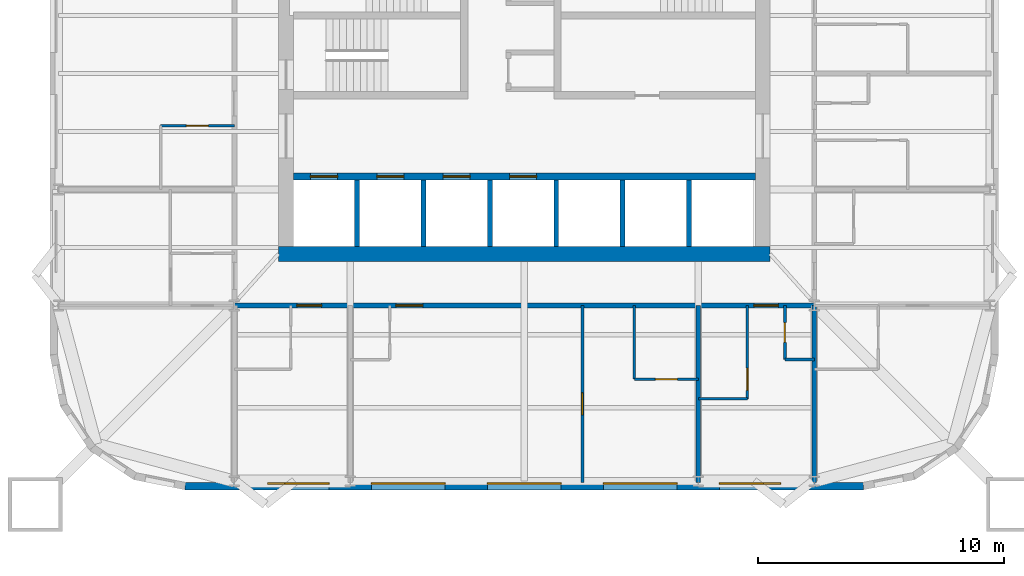
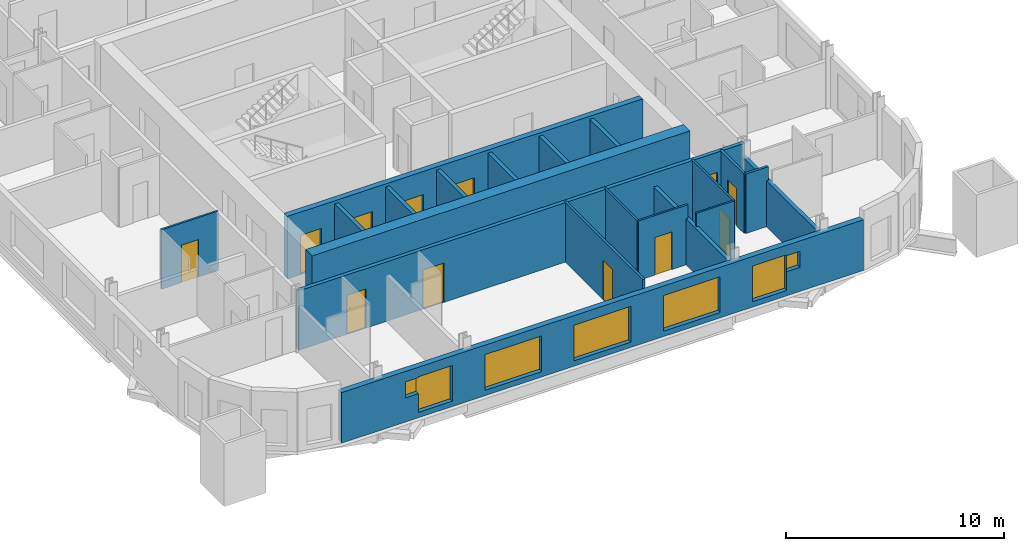
# One storey, part 3 of 9: 20 walls, 12 doors, 7 windows, 19 openings.
"""IFC4 building model written with IfcOpenShell, lengths in metres."""

from ifc_helpers import new_model, si_unit, direction, frame, frame_2d, origin, place, context, subcontext, project, spatial, rectangle, extrude, material, layer, layer_set, type_object, element, fill, save


model = new_model("IFC4")

# Units and contexts
model_context = context("Model", 3, precision=1e-05, world=origin(), true_north=direction((0.0, 1.0)))
body_context = subcontext(model_context, "Body", "Model", "MODEL_VIEW")
ifc_project = project(units=[si_unit("LENGTHUNIT", "METRE"), si_unit("AREAUNIT", "SQUARE_METRE"), si_unit("VOLUMEUNIT", "CUBIC_METRE"), si_unit("PLANEANGLEUNIT", "RADIAN"), si_unit("MASSUNIT", "GRAM", prefix="KILO")], contexts=[model_context])

# Site, building, storey
site_placement = place(None, origin())
site = spatial("IfcSite", under=ifc_project, at=site_placement, CompositionType="ELEMENT")
building_placement = place(site_placement, origin())
building = spatial("IfcBuilding", under=site, at=building_placement, Name="Turquesa Mirador Hotel Tower", CompositionType="ELEMENT")
storey_placement = place(building_placement, frame((0.0, 0.0, 207.300048828125)))
storey = spatial("IfcBuildingStorey", under=building, at=storey_placement, Name="L56", CompositionType="ELEMENT", Elevation=207.300048828125)

# Wall, opening, door
ifc_material_1 = material(Name="Gypsum board on steel studs", Category="steel")
ifc_layer_1 = layer(ifc_material_1, 0.10009765625)
ifc_layer_set_1 = layer_set([ifc_layer_1], Name="BATHROOM WALL 100")
wall_type_1 = type_object("IfcWallType", Name="BATHROOM WALL 100", PredefinedType="PARTITIONING", material=ifc_layer_set_1)
wall_1_placement = place(storey_placement, frame((59.47998046875, 30.199951171875, 0.0), z_axis=(0.0, 0.0, 1.0), x_axis=(1.0, 0.0, 0.0)))
wall_1 = element("IfcWall", 1, at=wall_1_placement, inside=storey, type_object=wall_type_1, Name="Partition L56 010", PredefinedType="PARTITIONING", context=body_context, shape_type="SweptSolid", body=[
    extrude(rectangle(XDim=2.60009765625, YDim=0.10009765625, at=frame_2d((1.300048828125, 0.0))), origin(), (0.0, 0.0, 1.0), 3.329833984375),
])
opening_1_placement = place(wall_1_placement, frame((0.85009765625, 0.0, 0.0)))
opening_1 = element("IfcOpeningElement", 2, at=opening_1_placement, cuts=wall_1, Name="Opening D02", PredefinedType="OPENING", context=body_context, shape_type="SweptSolid", body=[
    extrude(rectangle(XDim=0.89990234375, YDim=2.10009765625, at=frame_2d((0.449951171875, 1.050048828125))), frame((0.0, 0.06005859375, 0.0), z_axis=(0.0, -1.0, 0.0), x_axis=(1.0, 0.0, 0.0)), (0.0, 0.0, 1.0), 0.1201171875),
])
ifc_material_2 = material(Name="Timber veneered door", Category="wood")
door_type_1 = type_object("IfcDoorType", Name="DOOR 900X2100 EN-SUITE", OperationType="SINGLE_SWING_RIGHT", PredefinedType="DOOR", material=ifc_material_2)
door_1_placement = place(opening_1_placement, origin())
door_1 = element("IfcDoor", 3, at=door_1_placement, inside=storey, type_object=door_type_1, Name="Door 5605B", OperationType="SINGLE_SWING_RIGHT", OverallHeight=2.10009765625, OverallWidth=0.89990234375, PredefinedType="DOOR", context=body_context, shape_type="SweptSolid", body=[
    extrude(rectangle(XDim=0.89990234375, YDim=2.10009765625, at=frame_2d((0.449951171875, 1.050048828125))), frame((0.0, 0.02490234375, 0.0), z_axis=(0.0, -1.0, 0.0), x_axis=(1.0, 0.0, 0.0)), (0.0, 0.0, 1.0), 0.050048828125),
])
fill(opening_1, door_1)

# Wall
wall_2_placement = place(storey_placement, frame((62.080078125, 29.39990234375, 0.0), z_axis=(0.0, 0.0, 1.0), x_axis=(1.0, 0.0, 0.0)))
element("IfcWall", 4, at=wall_2_placement, inside=storey, type_object=wall_type_1, Name="Partition L56 011", PredefinedType="PARTITIONING", context=body_context, shape_type="SweptSolid", body=[
    extrude(rectangle(XDim=2.0, YDim=0.10009765625, at=frame_2d((1.0, 0.0))), origin(), (0.0, 0.0, 1.0), 3.329833984375),
])

# Wall, opening, door
wall_3_placement = place(storey_placement, frame((40.199951171875, 40.52001953125, 0.0), z_axis=(0.0, 0.0, 1.0), x_axis=(1.0, 0.0, 0.0)))
wall_3 = element("IfcWall", 5, at=wall_3_placement, inside=storey, type_object=wall_type_1, Name="Partition L56 014", PredefinedType="PARTITIONING", context=body_context, shape_type="SweptSolid", body=[
    extrude(rectangle(XDim=3.0, YDim=0.10009765625, at=frame_2d((1.5, 0.0))), origin(), (0.0, 0.0, 1.0), 3.329833984375),
])
opening_2_placement = place(wall_3_placement, frame((1.050048828125, 0.0, 0.0)))
opening_2 = element("IfcOpeningElement", 6, at=opening_2_placement, cuts=wall_3, Name="Opening D02", PredefinedType="OPENING", context=body_context, shape_type="SweptSolid", body=[
    extrude(rectangle(XDim=0.89990234375, YDim=2.10009765625, at=frame_2d((0.449951171875, 1.050048828125))), frame((0.0, 0.06005859375, 0.0), z_axis=(0.0, -1.0, 0.0), x_axis=(1.0, 0.0, 0.0)), (0.0, 0.0, 1.0), 0.1201171875),
])
door_2_placement = place(opening_2_placement, origin())
door_2 = element("IfcDoor", 7, at=door_2_placement, inside=storey, type_object=door_type_1, Name="Door 5610B", OperationType="SINGLE_SWING_RIGHT", OverallHeight=2.10009765625, OverallWidth=0.89990234375, PredefinedType="DOOR", context=body_context, shape_type="SweptSolid", body=[
    extrude(rectangle(XDim=0.89990234375, YDim=2.10009765625, at=frame_2d((0.449951171875, 1.050048828125))), frame((0.0, 0.02490234375, 0.0), z_axis=(0.0, -1.0, 0.0), x_axis=(1.0, 0.0, 0.0)), (0.0, 0.0, 1.0), 0.050048828125),
])
fill(opening_2, door_2)

# Wall
wall_4_placement = place(storey_placement, frame((59.47998046875, 30.199951171875, 0.0), z_axis=(0.0, 0.0, 1.0), x_axis=(0.0, 1.0, 0.0)))
element("IfcWall", 8, at=wall_4_placement, inside=storey, type_object=wall_type_1, Name="Partition L56 080", PredefinedType="PARTITIONING", context=body_context, shape_type="SweptSolid", body=[
    extrude(rectangle(XDim=3.0, YDim=0.10009765625, at=frame_2d((1.5, 0.0))), origin(), (0.0, 0.0, 1.0), 3.329833984375),
])

# Wall, opening, door
wall_5_placement = place(storey_placement, frame((64.080078125, 29.39990234375, 0.0), z_axis=(0.0, 0.0, 1.0), x_axis=(0.0, 1.0, 0.0)))
wall_5 = element("IfcWall", 9, at=wall_5_placement, inside=storey, type_object=wall_type_1, Name="Partition L56 083", PredefinedType="PARTITIONING", context=body_context, shape_type="SweptSolid", body=[
    extrude(rectangle(XDim=3.800048828125, YDim=0.10009765625, at=frame_2d((1.89990234375, 0.0))), origin(), (0.0, 0.0, 1.0), 3.329833984375),
])
opening_3_placement = place(wall_5_placement, frame((0.35009765625, 0.0, 0.0)))
opening_3 = element("IfcOpeningElement", 10, at=opening_3_placement, cuts=wall_5, Name="Opening D02", PredefinedType="OPENING", context=body_context, shape_type="SweptSolid", body=[
    extrude(rectangle(XDim=0.89990234375, YDim=2.10009765625, at=frame_2d((0.449951171875, 1.050048828125))), frame((0.0, 0.06005859375, 0.0), z_axis=(0.0, -1.0, 0.0), x_axis=(1.0, 0.0, 0.0)), (0.0, 0.0, 1.0), 0.1201171875),
])
door_3_placement = place(opening_3_placement, origin())
door_3 = element("IfcDoor", 11, at=door_3_placement, inside=storey, type_object=door_type_1, Name="Door 5606B", OperationType="SINGLE_SWING_RIGHT", OverallHeight=2.10009765625, OverallWidth=0.89990234375, PredefinedType="DOOR", context=body_context, shape_type="SweptSolid", body=[
    extrude(rectangle(XDim=0.89990234375, YDim=2.10009765625, at=frame_2d((0.449951171875, 1.050048828125))), frame((0.0, 0.02490234375, 0.0), z_axis=(0.0, -1.0, 0.0), x_axis=(1.0, 0.0, 0.0)), (0.0, 0.0, 1.0), 0.050048828125),
])
fill(opening_3, door_3)

# Wall, openings, doors
ifc_material_3 = material(Name="Concrete C50/60", Category="concrete")
ifc_layer_2 = layer(ifc_material_3, 0.300048828125)
ifc_layer_set_2 = layer_set([ifc_layer_2], Name="CORE INNER WALL 300")
wall_type_2 = type_object("IfcWallType", Name="CORE INNER WALL 300", PredefinedType="SHEAR", material=ifc_layer_set_2)
wall_6_placement = place(storey_placement, frame((45.60009765625, 38.449951171875, 0.0), z_axis=(0.0, 0.0, 1.0), x_axis=(1.0, 0.0, 0.0)))
wall_6 = element("IfcWall", 12, at=wall_6_placement, inside=storey, type_object=wall_type_2, Name="Core wall SL", PredefinedType="SHEAR", context=body_context, shape_type="SweptSolid", body=[
    extrude(rectangle(XDim=18.7998046875, YDim=0.300048828125, at=frame_2d((9.39990234375, 0.0))), origin(), (0.0, 0.0, 1.0), 3.5),
])
opening_4_placement = place(wall_6_placement, frame((0.699951171875, 0.0, 0.0)))
opening_4 = element("IfcOpeningElement", 13, at=opening_4_placement, cuts=wall_6, Name="Opening LD", PredefinedType="OPENING", context=body_context, shape_type="SweptSolid", body=[
    extrude(rectangle(XDim=1.10009765625, YDim=2.199951171875, at=frame_2d((0.550048828125, 1.10009765625))), frame((0.0, 0.159912109375, 0.0), z_axis=(0.0, -1.0, 0.0), x_axis=(1.0, 0.0, 0.0)), (0.0, 0.0, 1.0), 0.320068359375),
])
opening_5_placement = place(wall_6_placement, frame((3.39990234375, 0.0, 0.0)))
opening_5 = element("IfcOpeningElement", 14, at=opening_5_placement, cuts=wall_6, Name="Opening LD", PredefinedType="OPENING", context=body_context, shape_type="SweptSolid", body=[
    extrude(rectangle(XDim=1.10009765625, YDim=2.199951171875, at=frame_2d((0.550048828125, 1.10009765625))), frame((0.0, 0.159912109375, 0.0), z_axis=(0.0, -1.0, 0.0), x_axis=(1.0, 0.0, 0.0)), (0.0, 0.0, 1.0), 0.320068359375),
])
opening_6_placement = place(wall_6_placement, frame((6.10009765625, 0.0, 0.0)))
opening_6 = element("IfcOpeningElement", 15, at=opening_6_placement, cuts=wall_6, Name="Opening LD", PredefinedType="OPENING", context=body_context, shape_type="SweptSolid", body=[
    extrude(rectangle(XDim=1.10009765625, YDim=2.199951171875, at=frame_2d((0.550048828125, 1.10009765625))), frame((0.0, 0.159912109375, 0.0), z_axis=(0.0, -1.0, 0.0), x_axis=(1.0, 0.0, 0.0)), (0.0, 0.0, 1.0), 0.320068359375),
])
opening_7_placement = place(wall_6_placement, frame((8.800048828125, 0.0, 0.0)))
opening_7 = element("IfcOpeningElement", 16, at=opening_7_placement, cuts=wall_6, Name="Opening LD", PredefinedType="OPENING", context=body_context, shape_type="SweptSolid", body=[
    extrude(rectangle(XDim=1.10009765625, YDim=2.199951171875, at=frame_2d((0.550048828125, 1.10009765625))), frame((0.0, 0.159912109375, 0.0), z_axis=(0.0, -1.0, 0.0), x_axis=(1.0, 0.0, 0.0)), (0.0, 0.0, 1.0), 0.320068359375),
])
ifc_material_4 = material(Name="Stainless steel lift landing door", Category="steel")
door_type_2 = type_object("IfcDoorType", Name="LIFT LANDING DOOR 1100X2200", OperationType="SLIDING_TO_LEFT", PredefinedType="DOOR", material=ifc_material_4)
door_4_placement = place(opening_4_placement, origin())
door_4 = element("IfcDoor", 17, at=door_4_placement, inside=storey, type_object=door_type_2, Name="Lift B1 landing door", OperationType="SLIDING_TO_LEFT", OverallHeight=2.199951171875, OverallWidth=1.10009765625, PredefinedType="DOOR", context=body_context, shape_type="SweptSolid", body=[
    extrude(rectangle(XDim=1.10009765625, YDim=2.199951171875, at=frame_2d((0.550048828125, 1.10009765625))), frame((0.0, 0.02490234375, 0.0), z_axis=(0.0, -1.0, 0.0), x_axis=(1.0, 0.0, 0.0)), (0.0, 0.0, 1.0), 0.050048828125),
])
fill(opening_4, door_4)
door_5_placement = place(opening_5_placement, origin())
door_5 = element("IfcDoor", 18, at=door_5_placement, inside=storey, type_object=door_type_2, Name="Lift B2 landing door", OperationType="SLIDING_TO_LEFT", OverallHeight=2.199951171875, OverallWidth=1.10009765625, PredefinedType="DOOR", context=body_context, shape_type="SweptSolid", body=[
    extrude(rectangle(XDim=1.10009765625, YDim=2.199951171875, at=frame_2d((0.550048828125, 1.10009765625))), frame((0.0, 0.02490234375, 0.0), z_axis=(0.0, -1.0, 0.0), x_axis=(1.0, 0.0, 0.0)), (0.0, 0.0, 1.0), 0.050048828125),
])
fill(opening_5, door_5)
door_6_placement = place(opening_6_placement, origin())
door_6 = element("IfcDoor", 19, at=door_6_placement, inside=storey, type_object=door_type_2, Name="Lift B3 landing door", OperationType="SLIDING_TO_LEFT", OverallHeight=2.199951171875, OverallWidth=1.10009765625, PredefinedType="DOOR", context=body_context, shape_type="SweptSolid", body=[
    extrude(rectangle(XDim=1.10009765625, YDim=2.199951171875, at=frame_2d((0.550048828125, 1.10009765625))), frame((0.0, 0.02490234375, 0.0), z_axis=(0.0, -1.0, 0.0), x_axis=(1.0, 0.0, 0.0)), (0.0, 0.0, 1.0), 0.050048828125),
])
fill(opening_6, door_6)
door_7_placement = place(opening_7_placement, origin())
door_7 = element("IfcDoor", 20, at=door_7_placement, inside=storey, type_object=door_type_2, Name="Lift B4 landing door", OperationType="SLIDING_TO_LEFT", OverallHeight=2.199951171875, OverallWidth=1.10009765625, PredefinedType="DOOR", context=body_context, shape_type="SweptSolid", body=[
    extrude(rectangle(XDim=1.10009765625, YDim=2.199951171875, at=frame_2d((0.550048828125, 1.10009765625))), frame((0.0, 0.02490234375, 0.0), z_axis=(0.0, -1.0, 0.0), x_axis=(1.0, 0.0, 0.0)), (0.0, 0.0, 1.0), 0.050048828125),
])
fill(opening_7, door_7)

# Wall
ifc_material_5 = material(Name="Concrete C50/60", Category="concrete")
ifc_layer_3 = layer(ifc_material_5, 0.60009765625)
ifc_layer_set_3 = layer_set([ifc_layer_3], Name="CORE WALL 600")
wall_type_3 = type_object("IfcWallType", Name="CORE WALL 600", PredefinedType="SHEAR", material=ifc_layer_set_3)
wall_7_placement = place(storey_placement, frame((45.0, 35.300048828125, 0.0), z_axis=(0.0, 0.0, 1.0), x_axis=(1.0, 0.0, 0.0)))
element("IfcWall", 21, at=wall_7_placement, inside=storey, type_object=wall_type_3, Name="Core wall S", PredefinedType="SHEAR", context=body_context, shape_type="SweptSolid", body=[
    extrude(rectangle(XDim=20.0, YDim=0.60009765625, at=frame_2d((10.0, 0.0))), origin(), (0.0, 0.0, 1.0), 3.5),
])

# Wall, openings, doors
ifc_material_6 = material(Name="Fire-rated gypsum board on steel studs", Category="steel")
ifc_layer_4 = layer(ifc_material_6, 0.199951171875)
ifc_layer_set_4 = layer_set([ifc_layer_4], Name="CORRIDOR WALL 200")
wall_type_4 = type_object("IfcWallType", Name="CORRIDOR WALL 200", PredefinedType="PARTITIONING", material=ifc_layer_set_4)
wall_8_placement = place(storey_placement, frame((43.199951171875, 33.199951171875, 0.0), z_axis=(0.0, 0.0, 1.0), x_axis=(1.0, 0.0, 0.0)))
wall_8 = element("IfcWall", 22, at=wall_8_placement, inside=storey, type_object=wall_type_4, Name="Partition L56 003", PredefinedType="PARTITIONING", context=body_context, shape_type="SweptSolid", body=[
    extrude(rectangle(XDim=23.60009765625, YDim=0.199951171875, at=frame_2d((11.800048828125, 0.0))), origin(), (0.0, 0.0, 1.0), 3.329833984375),
])
opening_8_placement = place(wall_8_placement, frame((2.550048828125, 0.0, 0.0)))
opening_8 = element("IfcOpeningElement", 23, at=opening_8_placement, cuts=wall_8, Name="Opening D01", PredefinedType="OPENING", context=body_context, shape_type="SweptSolid", body=[
    extrude(rectangle(XDim=1.0, YDim=2.199951171875, at=frame_2d((0.5, 1.10009765625))), frame((0.0, 0.10986328125, 0.0), z_axis=(0.0, -1.0, 0.0), x_axis=(1.0, 0.0, 0.0)), (0.0, 0.0, 1.0), 0.219970703125),
])
opening_9_placement = place(wall_8_placement, frame((6.570068359375, 0.0, 0.0)))
opening_9 = element("IfcOpeningElement", 24, at=opening_9_placement, cuts=wall_8, Name="Opening D15", PredefinedType="OPENING", context=body_context, shape_type="SweptSolid", body=[
    extrude(rectangle(XDim=1.10009765625, YDim=2.199951171875, at=frame_2d((0.550048828125, 1.10009765625))), frame((0.0, 0.10986328125, 0.0), z_axis=(0.0, -1.0, 0.0), x_axis=(1.0, 0.0, 0.0)), (0.0, 0.0, 1.0), 0.219970703125),
])
opening_10_placement = place(wall_8_placement, frame((21.139892578125, 0.0, 0.0)))
opening_10 = element("IfcOpeningElement", 25, at=opening_10_placement, cuts=wall_8, Name="Opening D01", PredefinedType="OPENING", context=body_context, shape_type="SweptSolid", body=[
    extrude(rectangle(XDim=1.0, YDim=2.199951171875, at=frame_2d((0.5, 1.10009765625))), frame((0.0, 0.10986328125, 0.0), z_axis=(0.0, -1.0, 0.0), x_axis=(1.0, 0.0, 0.0)), (0.0, 0.0, 1.0), 0.219970703125),
])
ifc_material_7 = material(Name="Timber veneered fire door", Category="wood")
door_type_3 = type_object("IfcDoorType", Name="DOOR 1000X2200 GUEST ENTRY", OperationType="SINGLE_SWING_LEFT", PredefinedType="DOOR", material=ifc_material_7)
door_8_placement = place(opening_8_placement, origin())
door_8 = element("IfcDoor", 26, at=door_8_placement, inside=storey, type_object=door_type_3, Name="Door 5604", OperationType="SINGLE_SWING_LEFT", OverallHeight=2.199951171875, OverallWidth=1.0, PredefinedType="DOOR", context=body_context, shape_type="SweptSolid", body=[
    extrude(rectangle(XDim=1.0, YDim=2.199951171875, at=frame_2d((0.5, 1.10009765625))), frame((0.0, 0.02490234375, 0.0), z_axis=(0.0, -1.0, 0.0), x_axis=(1.0, 0.0, 0.0)), (0.0, 0.0, 1.0), 0.050048828125),
])
fill(opening_8, door_8)
door_9_placement = place(opening_10_placement, origin())
door_9 = element("IfcDoor", 27, at=door_9_placement, inside=storey, type_object=door_type_3, Name="Door 5606", OperationType="SINGLE_SWING_LEFT", OverallHeight=2.199951171875, OverallWidth=1.0, PredefinedType="DOOR", context=body_context, shape_type="SweptSolid", body=[
    extrude(rectangle(XDim=1.0, YDim=2.199951171875, at=frame_2d((0.5, 1.10009765625))), frame((0.0, 0.02490234375, 0.0), z_axis=(0.0, -1.0, 0.0), x_axis=(1.0, 0.0, 0.0)), (0.0, 0.0, 1.0), 0.050048828125),
])
fill(opening_10, door_9)
ifc_material_8 = material(Name="Timber veneered fire door", Category="wood")
door_type_4 = type_object("IfcDoorType", Name="DOOR 1100X2200 SUITE ENTRY", OperationType="SINGLE_SWING_LEFT", PredefinedType="DOOR", material=ifc_material_8)
door_10_placement = place(opening_9_placement, origin())
door_10 = element("IfcDoor", 28, at=door_10_placement, inside=storey, type_object=door_type_4, Name="Door 5605", OperationType="SINGLE_SWING_LEFT", OverallHeight=2.199951171875, OverallWidth=1.10009765625, PredefinedType="DOOR", context=body_context, shape_type="SweptSolid", body=[
    extrude(rectangle(XDim=1.10009765625, YDim=2.199951171875, at=frame_2d((0.550048828125, 1.10009765625))), frame((0.0, 0.02490234375, 0.0), z_axis=(0.0, -1.0, 0.0), x_axis=(1.0, 0.0, 0.0)), (0.0, 0.0, 1.0), 0.050048828125),
])
fill(opening_9, door_10)

# Wall, openings, windows
ifc_material_9 = material(Name="Limestone cladding on concrete block", Category="masonry")
ifc_layer_5 = layer(ifc_material_9, 0.300048828125)
ifc_layer_set_5 = layer_set([ifc_layer_5], Name="FACADE WALL 300 STONE SCREEN")
wall_type_5 = type_object("IfcWallType", Name="FACADE WALL 300 STONE SCREEN", PredefinedType="SOLIDWALL", material=ifc_layer_set_5)
wall_9_placement = place(storey_placement, frame((41.199951171875, 25.85009765625, 0.0), z_axis=(0.0, 0.0, 1.0), x_axis=(1.0, 0.0, 0.0)))
wall_9 = element("IfcWall", 29, at=wall_9_placement, inside=storey, type_object=wall_type_5, Name="Facade wall L56 19", PredefinedType="SOLIDWALL", context=body_context, shape_type="SweptSolid", body=[
    extrude(rectangle(XDim=27.60009765625, YDim=0.300048828125, at=frame_2d((13.800048828125, 0.0))), origin(), (0.0, 0.0, 1.0), 2.829833984375),
])
opening_11_placement = place(wall_9_placement, frame((4.06005859375, 0.0, 0.300048828125)))
opening_11 = element("IfcOpeningElement", 30, at=opening_11_placement, cuts=wall_9, Name="Opening WN47", PredefinedType="OPENING", context=body_context, shape_type="SweptSolid", body=[
    extrude(rectangle(XDim=1.800048828125, YDim=2.0, at=frame_2d((0.89990234375, 1.0))), frame((0.0, 0.159912109375, 0.0), z_axis=(0.0, -1.0, 0.0), x_axis=(1.0, 0.0, 0.0)), (0.0, 0.0, 1.0), 0.320068359375),
])
opening_12_placement = place(wall_9_placement, frame((7.580078125, 0.0, 0.300048828125)))
opening_12 = element("IfcOpeningElement", 31, at=opening_12_placement, cuts=wall_9, Name="Opening WN1", PredefinedType="OPENING", context=body_context, shape_type="SweptSolid", body=[
    extrude(rectangle(XDim=3.0, YDim=2.0, at=frame_2d((1.5, 1.0))), frame((0.0, 0.159912109375, 0.0), z_axis=(0.0, -1.0, 0.0), x_axis=(1.0, 0.0, 0.0)), (0.0, 0.0, 1.0), 0.320068359375),
])
opening_13_placement = place(wall_9_placement, frame((12.300048828125, 0.0, 0.300048828125)))
opening_13 = element("IfcOpeningElement", 32, at=opening_13_placement, cuts=wall_9, Name="Opening WN1", PredefinedType="OPENING", context=body_context, shape_type="SweptSolid", body=[
    extrude(rectangle(XDim=3.0, YDim=2.0, at=frame_2d((1.5, 1.0))), frame((0.0, 0.159912109375, 0.0), z_axis=(0.0, -1.0, 0.0), x_axis=(1.0, 0.0, 0.0)), (0.0, 0.0, 1.0), 0.320068359375),
])
opening_14_placement = place(wall_9_placement, frame((17.02001953125, 0.0, 0.300048828125)))
opening_14 = element("IfcOpeningElement", 33, at=opening_14_placement, cuts=wall_9, Name="Opening WN1", PredefinedType="OPENING", context=body_context, shape_type="SweptSolid", body=[
    extrude(rectangle(XDim=3.0, YDim=2.0, at=frame_2d((1.5, 1.0))), frame((0.0, 0.159912109375, 0.0), z_axis=(0.0, -1.0, 0.0), x_axis=(1.0, 0.0, 0.0)), (0.0, 0.0, 1.0), 0.320068359375),
])
opening_15_placement = place(wall_9_placement, frame((21.739990234375, 0.0, 0.300048828125)))
opening_15 = element("IfcOpeningElement", 34, at=opening_15_placement, cuts=wall_9, Name="Opening WN47", PredefinedType="OPENING", context=body_context, shape_type="SweptSolid", body=[
    extrude(rectangle(XDim=1.800048828125, YDim=2.0, at=frame_2d((0.89990234375, 1.0))), frame((0.0, 0.159912109375, 0.0), z_axis=(0.0, -1.0, 0.0), x_axis=(1.0, 0.0, 0.0)), (0.0, 0.0, 1.0), 0.320068359375),
])
opening_16_placement = place(wall_9_placement, frame((3.360107421875, 0.0, 1.35009765625)))
opening_16 = element("IfcOpeningElement", 35, at=opening_16_placement, cuts=wall_9, Name="Opening WN31", PredefinedType="OPENING", context=body_context, shape_type="SweptSolid", body=[
    extrude(rectangle(XDim=0.699951171875, YDim=0.89990234375, at=frame_2d((0.35009765625, 0.449951171875))), frame((0.0, 0.159912109375, 0.0), z_axis=(0.0, -1.0, 0.0), x_axis=(1.0, 0.0, 0.0)), (0.0, 0.0, 1.0), 0.320068359375),
])
opening_17_placement = place(wall_9_placement, frame((23.5400390625, 0.0, 1.35009765625)))
opening_17 = element("IfcOpeningElement", 36, at=opening_17_placement, cuts=wall_9, Name="Opening WN31", PredefinedType="OPENING", context=body_context, shape_type="SweptSolid", body=[
    extrude(rectangle(XDim=0.699951171875, YDim=0.89990234375, at=frame_2d((0.35009765625, 0.449951171875))), frame((0.0, 0.159912109375, 0.0), z_axis=(0.0, -1.0, 0.0), x_axis=(1.0, 0.0, 0.0)), (0.0, 0.0, 1.0), 0.320068359375),
])
ifc_material_10 = material(Name="Ceramic-fritted laminated glass", Category="glass")
window_type_1 = type_object("IfcWindowType", Name="FRITTED WINDOW 1800X2000", PartitioningType="DOUBLE_PANEL_HORIZONTAL", PredefinedType="WINDOW", material=ifc_material_10)
window_1_placement = place(opening_11_placement, origin())
window_1 = element("IfcWindow", 37, at=window_1_placement, inside=storey, type_object=window_type_1, Name="Window L56", OverallHeight=2.0, OverallWidth=1.800048828125, PartitioningType="SINGLE_PANEL", PredefinedType="WINDOW", context=body_context, shape_type="SweptSolid", body=[
    extrude(rectangle(XDim=1.800048828125, YDim=2.0, at=frame_2d((0.89990234375, 1.0))), frame((0.0, 0.130126953125, 0.0), z_axis=(0.0, -1.0, 0.0), x_axis=(1.0, 0.0, 0.0)), (0.0, 0.0, 1.0), 0.06005859375),
])
fill(opening_11, window_1)
window_2_placement = place(opening_15_placement, origin())
window_2 = element("IfcWindow", 38, at=window_2_placement, inside=storey, type_object=window_type_1, Name="Window L56", OverallHeight=2.0, OverallWidth=1.800048828125, PartitioningType="SINGLE_PANEL", PredefinedType="WINDOW", context=body_context, shape_type="SweptSolid", body=[
    extrude(rectangle(XDim=1.800048828125, YDim=2.0, at=frame_2d((0.89990234375, 1.0))), frame((0.0, 0.130126953125, 0.0), z_axis=(0.0, -1.0, 0.0), x_axis=(1.0, 0.0, 0.0)), (0.0, 0.0, 1.0), 0.06005859375),
])
fill(opening_15, window_2)
ifc_material_11 = material(Name="Ceramic-fritted laminated glass", Category="glass")
window_type_2 = type_object("IfcWindowType", Name="FRITTED WINDOW 3000X2000", PartitioningType="DOUBLE_PANEL_HORIZONTAL", PredefinedType="WINDOW", material=ifc_material_11)
window_3_placement = place(opening_12_placement, origin())
window_3 = element("IfcWindow", 39, at=window_3_placement, inside=storey, type_object=window_type_2, Name="Window L56", OverallHeight=2.0, OverallWidth=3.0, PartitioningType="SINGLE_PANEL", PredefinedType="WINDOW", context=body_context, shape_type="SweptSolid", body=[
    extrude(rectangle(XDim=3.0, YDim=2.0, at=frame_2d((1.5, 1.0))), frame((0.0, 0.130126953125, 0.0), z_axis=(0.0, -1.0, 0.0), x_axis=(1.0, 0.0, 0.0)), (0.0, 0.0, 1.0), 0.06005859375),
])
fill(opening_12, window_3)
window_4_placement = place(opening_13_placement, origin())
window_4 = element("IfcWindow", 40, at=window_4_placement, inside=storey, type_object=window_type_2, Name="Window L56", OverallHeight=2.0, OverallWidth=3.0, PartitioningType="SINGLE_PANEL", PredefinedType="WINDOW", context=body_context, shape_type="SweptSolid", body=[
    extrude(rectangle(XDim=3.0, YDim=2.0, at=frame_2d((1.5, 1.0))), frame((0.0, 0.130126953125, 0.0), z_axis=(0.0, -1.0, 0.0), x_axis=(1.0, 0.0, 0.0)), (0.0, 0.0, 1.0), 0.06005859375),
])
fill(opening_13, window_4)
window_5_placement = place(opening_14_placement, origin())
window_5 = element("IfcWindow", 41, at=window_5_placement, inside=storey, type_object=window_type_2, Name="Window L56", OverallHeight=2.0, OverallWidth=3.0, PartitioningType="SINGLE_PANEL", PredefinedType="WINDOW", context=body_context, shape_type="SweptSolid", body=[
    extrude(rectangle(XDim=3.0, YDim=2.0, at=frame_2d((1.5, 1.0))), frame((0.0, 0.130126953125, 0.0), z_axis=(0.0, -1.0, 0.0), x_axis=(1.0, 0.0, 0.0)), (0.0, 0.0, 1.0), 0.06005859375),
])
fill(opening_14, window_5)
ifc_material_12 = material(Name="Ceramic-fritted laminated glass", Category="glass")
window_type_3 = type_object("IfcWindowType", Name="FRITTED WINDOW 700X900", PartitioningType="DOUBLE_PANEL_HORIZONTAL", PredefinedType="WINDOW", material=ifc_material_12)
window_6_placement = place(opening_16_placement, origin())
window_6 = element("IfcWindow", 42, at=window_6_placement, inside=storey, type_object=window_type_3, Name="Window L56", OverallHeight=0.89990234375, OverallWidth=0.699951171875, PartitioningType="SINGLE_PANEL", PredefinedType="WINDOW", context=body_context, shape_type="SweptSolid", body=[
    extrude(rectangle(XDim=0.699951171875, YDim=0.89990234375, at=frame_2d((0.35009765625, 0.449951171875))), frame((0.0, 0.130126953125, 0.0), z_axis=(0.0, -1.0, 0.0), x_axis=(1.0, 0.0, 0.0)), (0.0, 0.0, 1.0), 0.06005859375),
])
fill(opening_16, window_6)
window_7_placement = place(opening_17_placement, origin())
window_7 = element("IfcWindow", 43, at=window_7_placement, inside=storey, type_object=window_type_3, Name="Window L56", OverallHeight=0.89990234375, OverallWidth=0.699951171875, PartitioningType="SINGLE_PANEL", PredefinedType="WINDOW", context=body_context, shape_type="SweptSolid", body=[
    extrude(rectangle(XDim=0.699951171875, YDim=0.89990234375, at=frame_2d((0.35009765625, 0.449951171875))), frame((0.0, 0.130126953125, 0.0), z_axis=(0.0, -1.0, 0.0), x_axis=(1.0, 0.0, 0.0)), (0.0, 0.0, 1.0), 0.06005859375),
])
fill(opening_17, window_7)

# Walls
ifc_material_13 = material(Name="Fire-rated gypsum shaft wall on steel studs", Category="steel")
ifc_layer_6 = layer(ifc_material_13, 0.199951171875)
ifc_layer_set_6 = layer_set([ifc_layer_6], Name="LIFT SHAFT DIVIDER 200")
wall_type_6 = type_object("IfcWallType", Name="LIFT SHAFT DIVIDER 200", PredefinedType="PARTITIONING", material=ifc_layer_set_6)
for number, where, z_axis, x_axis, name in (
    (44, (48.199951171875, 35.60009765625, 0.0), (0.0, 0.0, 1.0), (0.0, 1.0, 0.0), "Lift shaft divider"),
    (45, (50.89990234375, 35.60009765625, 0.0), (0.0, 0.0, 1.0), (0.0, 1.0, 0.0), "Lift shaft divider"),
    (46, (53.60009765625, 35.60009765625, 0.0), (0.0, 0.0, 1.0), (0.0, 1.0, 0.0), "Lift shaft divider"),
    (47, (56.300048828125, 35.60009765625, 0.0), (0.0, 0.0, 1.0), (0.0, 1.0, 0.0), "Lift shaft divider"),
    (48, (59.0, 35.60009765625, 0.0), (0.0, 0.0, 1.0), (0.0, 1.0, 0.0), "Lift shaft divider"),
    (49, (61.699951171875, 35.60009765625, 0.0), (0.0, 0.0, 1.0), (0.0, 1.0, 0.0), "Lift shaft divider"),
):
    element("IfcWall", number, at=place(storey_placement, frame(where, z_axis=z_axis, x_axis=x_axis)), inside=storey, type_object=wall_type_6, Name=name, PredefinedType="PARTITIONING", context=body_context, shape_type="SweptSolid", body=[
        extrude(rectangle(XDim=2.699951171875, YDim=0.199951171875, at=frame_2d((1.35009765625, 0.0))), origin(), (0.0, 0.0, 1.0), 3.329833984375),
    ])
ifc_material_14 = material(Name="Fire-rated gypsum board on steel studs", Category="steel")
ifc_layer_7 = layer(ifc_material_14, 0.199951171875)
ifc_layer_set_7 = layer_set([ifc_layer_7], Name="PARTY WALL 200")
wall_type_7 = type_object("IfcWallType", Name="PARTY WALL 200", PredefinedType="PARTITIONING", material=ifc_layer_set_7)
for number, where, z_axis, x_axis, name in (
    (50, (66.800048828125, 26.0, 0.0), (0.0, 0.0, 1.0), (0.0, 1.0, 0.0), "Partition L56 067"),
    (51, (62.080078125, 26.0, 0.0), (0.0, 0.0, 1.0), (0.0, 1.0, 0.0), "Partition L56 081"),
):
    element("IfcWall", number, at=place(storey_placement, frame(where, z_axis=z_axis, x_axis=x_axis)), inside=storey, type_object=wall_type_7, Name=name, PredefinedType="PARTITIONING", context=body_context, shape_type="SweptSolid", body=[
        extrude(rectangle(XDim=7.199951171875, YDim=0.199951171875, at=frame_2d((3.60009765625, 0.0))), origin(), (0.0, 0.0, 1.0), 2.572998046875),
    ])
ifc_material_15 = material(Name="Acoustic gypsum board on steel studs", Category="steel")
ifc_layer_8 = layer(ifc_material_15, 0.125)
ifc_layer_set_8 = layer_set([ifc_layer_8], Name="SUITE PARTITION 125")
wall_type_8 = type_object("IfcWallType", Name="SUITE PARTITION 125", PredefinedType="PARTITIONING", material=ifc_layer_set_8)
wall_10_placement = place(storey_placement, frame((65.60009765625, 31.0, 0.0), z_axis=(0.0, 0.0, 1.0), x_axis=(1.0, 0.0, 0.0)))
element("IfcWall", 52, at=wall_10_placement, inside=storey, type_object=wall_type_8, Name="Partition L56 007", PredefinedType="PARTITIONING", context=body_context, shape_type="SweptSolid", body=[
    extrude(rectangle(XDim=1.199951171875, YDim=0.125, at=frame_2d((0.60009765625, 0.0))), origin(), (0.0, 0.0, 1.0), 3.329833984375),
])

# Wall, opening, door
wall_11_placement = place(storey_placement, frame((65.60009765625, 31.0, 0.0), z_axis=(0.0, 0.0, 1.0), x_axis=(0.0, 1.0, 0.0)))
wall_11 = element("IfcWall", 53, at=wall_11_placement, inside=storey, type_object=wall_type_8, Name="Partition L56 065", PredefinedType="PARTITIONING", context=body_context, shape_type="SweptSolid", body=[
    extrude(rectangle(XDim=2.199951171875, YDim=0.125, at=frame_2d((1.10009765625, 0.0))), origin(), (0.0, 0.0, 1.0), 3.329833984375),
])
opening_18_placement = place(wall_11_placement, frame((0.699951171875, 0.0, 0.0)))
opening_18 = element("IfcOpeningElement", 54, at=opening_18_placement, cuts=wall_11, Name="Opening D20", PredefinedType="OPENING", context=body_context, shape_type="SweptSolid", body=[
    extrude(rectangle(XDim=0.800048828125, YDim=2.10009765625, at=frame_2d((0.39990234375, 1.050048828125))), frame((0.0, 0.072509765625, 0.0), z_axis=(0.0, -1.0, 0.0), x_axis=(1.0, 0.0, 0.0)), (0.0, 0.0, 1.0), 0.14501953125),
])
ifc_material_16 = material(Name="Timber veneered sliding door", Category="wood")
door_type_5 = type_object("IfcDoorType", Name="DOOR 800X2100 WARDROBE", OperationType="SLIDING_TO_LEFT", PredefinedType="DOOR", material=ifc_material_16)
door_11_placement = place(opening_18_placement, origin())
door_11 = element("IfcDoor", 55, at=door_11_placement, inside=storey, type_object=door_type_5, Name="Door 5606W", OperationType="SLIDING_TO_LEFT", OverallHeight=2.10009765625, OverallWidth=0.800048828125, PredefinedType="DOOR", context=body_context, shape_type="SweptSolid", body=[
    extrude(rectangle(XDim=0.800048828125, YDim=2.10009765625, at=frame_2d((0.39990234375, 1.050048828125))), frame((0.0, 0.02490234375, 0.0), z_axis=(0.0, -1.0, 0.0), x_axis=(1.0, 0.0, 0.0)), (0.0, 0.0, 1.0), 0.050048828125),
])
fill(opening_18, door_11)

wall_12_placement = place(storey_placement, frame((57.360107421875, 26.0, 0.0), z_axis=(0.0, 0.0, 1.0), x_axis=(0.0, 1.0, 0.0)))
wall_12 = element("IfcWall", 56, at=wall_12_placement, inside=storey, type_object=wall_type_8, Name="Partition L56 079", PredefinedType="PARTITIONING", context=body_context, shape_type="SweptSolid", body=[
    extrude(rectangle(XDim=7.199951171875, YDim=0.125, at=frame_2d((3.60009765625, 0.0))), origin(), (0.0, 0.0, 1.0), 3.329833984375),
])
opening_19_placement = place(wall_12_placement, frame((2.75, 0.0, 0.0)))
opening_19 = element("IfcOpeningElement", 57, at=opening_19_placement, cuts=wall_12, Name="Opening D17", PredefinedType="OPENING", context=body_context, shape_type="SweptSolid", body=[
    extrude(rectangle(XDim=0.89990234375, YDim=2.199951171875, at=frame_2d((0.449951171875, 1.10009765625))), frame((0.0, 0.072509765625, 0.0), z_axis=(0.0, -1.0, 0.0), x_axis=(1.0, 0.0, 0.0)), (0.0, 0.0, 1.0), 0.14501953125),
])
ifc_material_17 = material(Name="Timber veneered door", Category="wood")
door_type_6 = type_object("IfcDoorType", Name="DOOR 900X2200 SUITE INTERNAL", OperationType="SINGLE_SWING_LEFT", PredefinedType="DOOR", material=ifc_material_17)
door_12_placement = place(opening_19_placement, origin())
door_12 = element("IfcDoor", 58, at=door_12_placement, inside=storey, type_object=door_type_6, Name="Door 5605R", OperationType="SINGLE_SWING_LEFT", OverallHeight=2.199951171875, OverallWidth=0.89990234375, PredefinedType="DOOR", context=body_context, shape_type="SweptSolid", body=[
    extrude(rectangle(XDim=0.89990234375, YDim=2.199951171875, at=frame_2d((0.449951171875, 1.10009765625))), frame((0.0, 0.02490234375, 0.0), z_axis=(0.0, -1.0, 0.0), x_axis=(1.0, 0.0, 0.0)), (0.0, 0.0, 1.0), 0.050048828125),
])
fill(opening_19, door_12)

save(model, "model.ifc")
